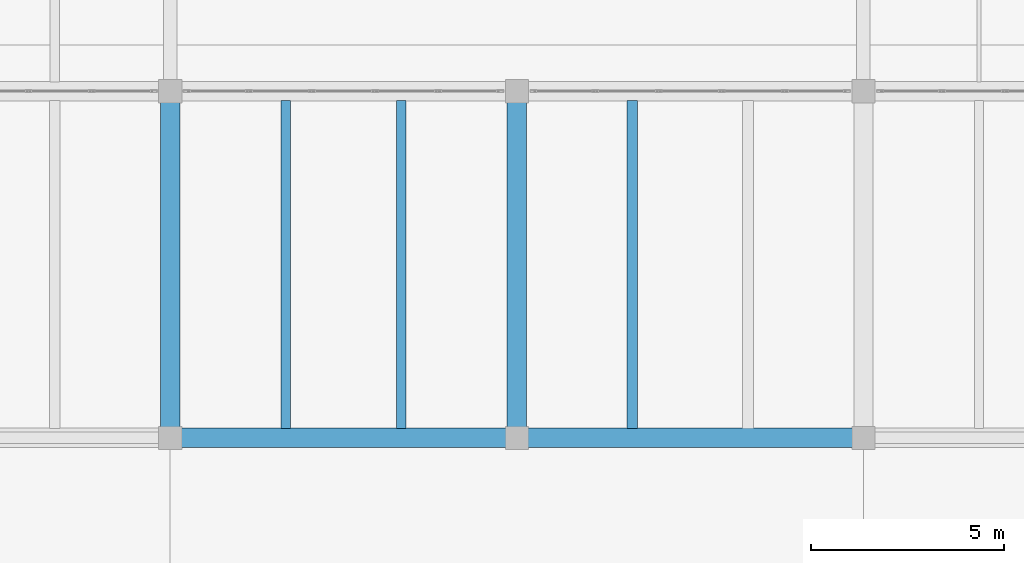
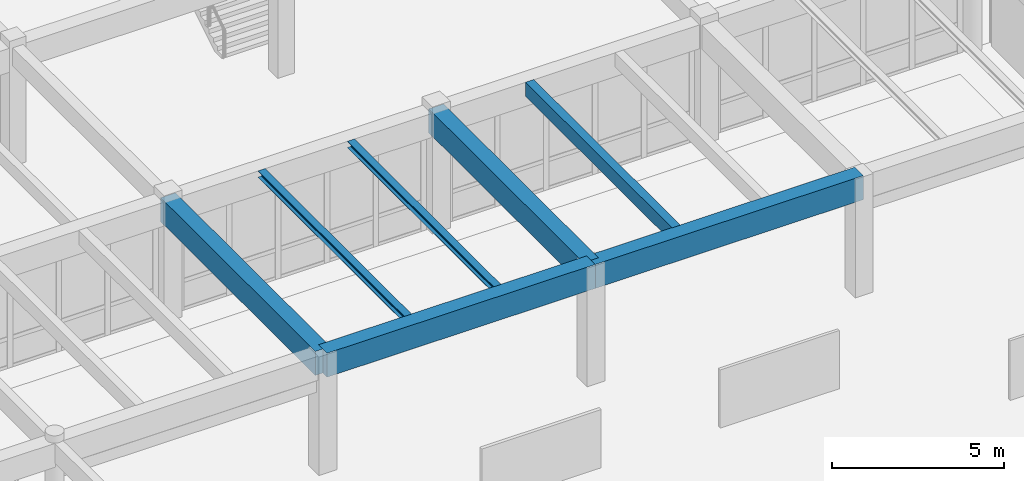
# One storey, part 82 of 186: 7 beams.
"""IFC4 building model written with IfcOpenShell, lengths in metres."""

from ifc_helpers import new_model, si_unit, direction, frame, origin, origin_2d, place, context, subcontext, project, spatial, rectangle, i_section, extrude, material, material_profile, profile_set, type_object, element, save


model = new_model("IFC4")

# Units and contexts
model_context = context("Model", 3, precision=1e-05, world=origin(), true_north=direction((0.0, 1.0)))
body_context = subcontext(model_context, "Body", "Model", "MODEL_VIEW")
ifc_project = project(units=[si_unit("LENGTHUNIT", "METRE"), si_unit("AREAUNIT", "SQUARE_METRE"), si_unit("VOLUMEUNIT", "CUBIC_METRE"), si_unit("PLANEANGLEUNIT", "RADIAN"), si_unit("MASSUNIT", "GRAM", prefix="KILO")], contexts=[model_context])

# Site, building, storey
site_placement = place(None, origin())
site = spatial("IfcSite", under=ifc_project, at=site_placement, CompositionType="ELEMENT")
building_placement = place(site_placement, origin())
building = spatial("IfcBuilding", under=site, at=building_placement, Name="Ornek Quay Market", CompositionType="ELEMENT")
storey_placement = place(building_placement, origin())
storey = spatial("IfcBuildingStorey", under=building, at=storey_placement, Name="L00", CompositionType="ELEMENT", Elevation=0.0)

# Beams
ifc_material_1 = material(Name="Concrete C40/50", Category="concrete")
ifc_material_profile_1 = material_profile(ifc_material_1, rectangle(XDim=0.5, YDim=0.85009765625, at=origin_2d()), Name="RC 500x850", Category="concrete")
ifc_profile_set_1 = profile_set([ifc_material_profile_1], Name="Concrete C40/50")
beam_type_1 = type_object("IfcBeamType", Name="BM-GAL-500x850", PredefinedType="BEAM", material=ifc_profile_set_1)
for number, where, z_axis, x_axis, name in (
    (1, (81.0, 83.0, 3.81494140625), (1.0, 0.0, 0.0), (0.0, 1.0, 0.0), "Primary beam B-GL1-048"),
    (2, (90.0, 83.0, 3.81494140625), (1.0, 0.0, 0.0), (0.0, 1.0, 0.0), "Primary beam B-GL1-049"),
    (3, (81.0, 83.0, 3.81494140625), (0.0, 1.0, 0.0), (-1.0, 0.0, 0.0), "Primary beam B-GL1-055"),
    (4, (90.0, 83.0, 3.81494140625), (0.0, 1.0, 0.0), (-1.0, 0.0, 0.0), "Primary beam B-GL1-056"),
):
    element("IfcBeam", number, at=place(storey_placement, frame(where, z_axis=z_axis, x_axis=x_axis)), inside=storey, type_object=beam_type_1, Name=name, PredefinedType="BEAM", context=body_context, shape_type="SweptSolid", body=[
        extrude(rectangle(XDim=0.5, YDim=0.85009765625, at=origin_2d()), origin(), (0.0, 0.0, 1.0), 9.0),
    ])
ifc_material_2 = material(Name="Concrete C35/45", Category="concrete")
ifc_material_profile_2 = material_profile(ifc_material_2, rectangle(XDim=0.280029296875, YDim=0.5, at=origin_2d()), Name="RC 280x500", Category="concrete")
ifc_profile_set_2 = profile_set([ifc_material_profile_2], Name="Concrete C35/45")
beam_type_2 = type_object("IfcBeamType", Name="BM-SEC-280x500", PredefinedType="JOIST", material=ifc_profile_set_2)
beam_placement = place(storey_placement, frame((93.0, 83.241943359375, 3.989990234375), z_axis=(0.0, 1.0, 0.0), x_axis=(-1.0, 0.0, 0.0)))
element("IfcBeam", 5, at=beam_placement, inside=storey, type_object=beam_type_2, Name="Secondary joist B-SC2-059", PredefinedType="JOIST", context=body_context, shape_type="SweptSolid", body=[
    extrude(rectangle(XDim=0.280029296875, YDim=0.5, at=origin_2d()), origin(), (0.0, 0.0, 1.0), 8.51611328125),
])
ifc_material_3 = material(Name="Steel S355", Category="steel")
ifc_material_profile_3 = material_profile(ifc_material_3, i_section(OverallWidth=0.239990234375, OverallDepth=0.22998046875, WebThickness=0.007568359375, FlangeThickness=0.011962890625, FilletRadius=0.02099609375, at=origin_2d()), Name="HEA 240", Category="steel")
ifc_profile_set_3 = profile_set([ifc_material_profile_3], Name="Steel S355")
beam_type_3 = type_object("IfcBeamType", Name="BM-STL-HEA240", PredefinedType="BEAM", material=ifc_profile_set_3)
for number, where, z_axis, x_axis, name in (
    (6, (84.0, 83.241943359375, 4.125), (0.0, 1.0, 0.0), (-1.0, 0.0, 0.0), "Secondary joist SB-14-011"),
    (7, (87.0, 83.241943359375, 4.125), (0.0, 1.0, 0.0), (-1.0, 0.0, 0.0), "Secondary joist SB-14-012"),
):
    element("IfcBeam", number, at=place(storey_placement, frame(where, z_axis=z_axis, x_axis=x_axis)), inside=storey, type_object=beam_type_3, Name=name, PredefinedType="BEAM", context=body_context, shape_type="SweptSolid", body=[
        extrude(i_section(OverallWidth=0.239990234375, OverallDepth=0.22998046875, WebThickness=0.007568359375, FlangeThickness=0.011962890625, FilletRadius=0.02099609375, at=origin_2d()), origin(), (0.0, 0.0, 1.0), 8.51611328125),
    ])

save(model, "model.ifc")
